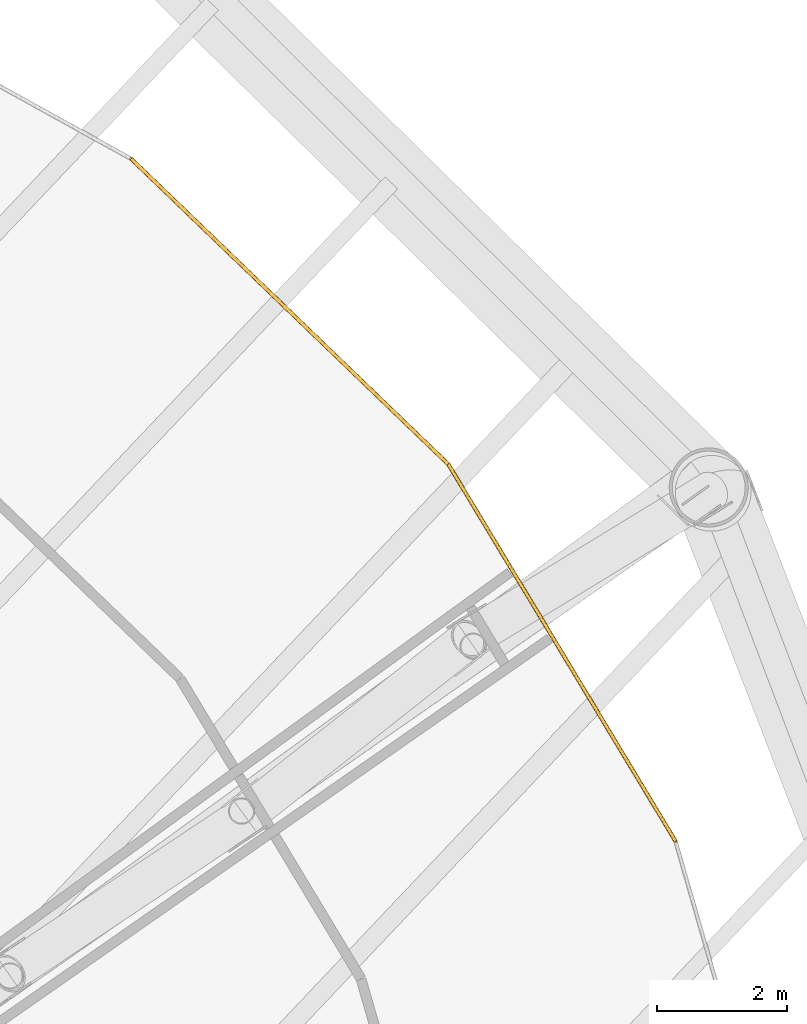
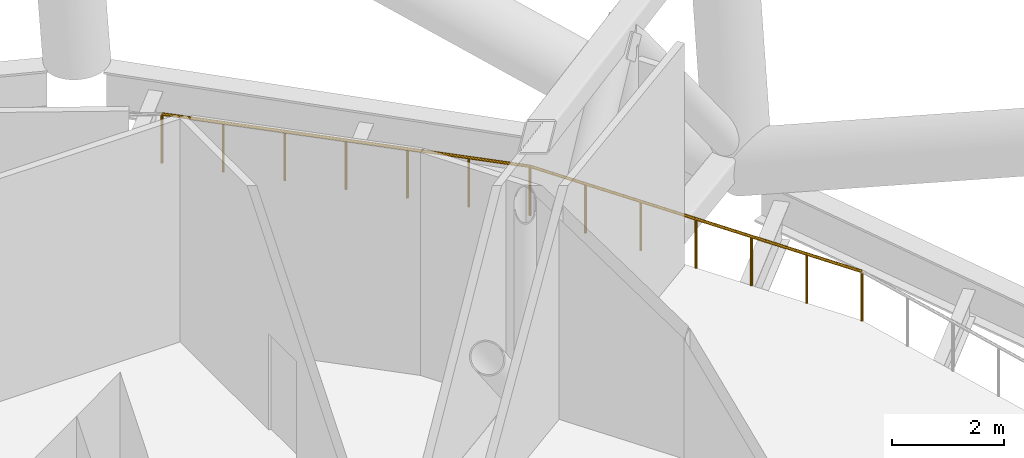
# One storey, part 38 of 39: 2 railings.
"""IFC4 building model written with IfcOpenShell, lengths in metres."""

from ifc_helpers import new_model, si_unit, direction, frame, origin, origin_2d, place, context, subcontext, project, spatial, circle, extrude, material, type_object, element, save


model = new_model("IFC4")

# Units and contexts
model_context = context("Model", 3, precision=1e-05, world=origin(), true_north=direction((0.0, 1.0)))
body_context = subcontext(model_context, "Body", "Model", "MODEL_VIEW")
ifc_project = project(units=[si_unit("LENGTHUNIT", "METRE"), si_unit("AREAUNIT", "SQUARE_METRE"), si_unit("VOLUMEUNIT", "CUBIC_METRE"), si_unit("PLANEANGLEUNIT", "RADIAN"), si_unit("MASSUNIT", "GRAM", prefix="KILO")], contexts=[model_context])

# Site, building, storey
site_placement = place(None, origin())
site = spatial("IfcSite", under=ifc_project, at=site_placement, CompositionType="ELEMENT")
building_placement = place(site_placement, origin())
building = spatial("IfcBuilding", under=site, at=building_placement, Name="Tarsis Ring Headquarters", CompositionType="ELEMENT")
storey_placement = place(building_placement, frame((0.0, 0.0, 86.800048828125)))
storey = spatial("IfcBuildingStorey", under=building, at=storey_placement, Name="L19", CompositionType="ELEMENT", Elevation=86.800048828125)

# Railings
ifc_material = material(Name="Stainless steel guard", Category="steel")
railing_type = type_object("IfcRailingType", Name="Guard rail with mesh infill 1100", PredefinedType="GUARDRAIL", material=ifc_material)
railing_1_placement = place(storey_placement, frame((23.8291015625, 10.40087890625, 0.0)))
element("IfcRailing", 1, at=railing_1_placement, inside=storey, type_object=railing_type, Name="Guard L19-25", PredefinedType="GUARDRAIL", context=body_context, shape_type="SweptSolid", body=[
    extrude(circle(Radius=0.030029296875, at=origin_2d()), frame((0.0, 0.0, 1.070068359375), z_axis=(-0.516240288418, 0.856443789524, 0.0), x_axis=(-0.856443789524, -0.516240288418, 0.0)), (0.0, 0.0, 1.0), 6.787353515625),
    extrude(circle(Radius=0.02490234375, at=origin_2d()), origin(), (0.0, 0.0, 1.0), 1.0400390625),
    extrude(circle(Radius=0.02490234375, at=origin_2d()), frame((-0.583984375, 0.96875, 0.0)), (0.0, 0.0, 1.0), 1.0400390625),
    extrude(circle(Radius=0.02490234375, at=origin_2d()), frame((-1.16796875, 1.937744140625, 0.0)), (0.0, 0.0, 1.0), 1.0400390625),
    extrude(circle(Radius=0.02490234375, at=origin_2d()), frame((-1.751953125, 2.906494140625, 0.0)), (0.0, 0.0, 1.0), 1.0400390625),
    extrude(circle(Radius=0.02490234375, at=origin_2d()), frame((-2.3359375, 3.875244140625, 0.0)), (0.0, 0.0, 1.0), 1.0400390625),
    extrude(circle(Radius=0.02490234375, at=origin_2d()), frame((-2.919921875, 4.84423828125, 0.0)), (0.0, 0.0, 1.0), 1.0400390625),
    extrude(circle(Radius=0.02490234375, at=origin_2d()), frame((-3.50390625, 5.81298828125, 0.0)), (0.0, 0.0, 1.0), 1.0400390625),
])
railing_2_placement = place(storey_placement, frame((20.3251953125, 16.2138671875, 0.0)))
element("IfcRailing", 2, at=railing_2_placement, inside=storey, type_object=railing_type, Name="Guard L19-26", PredefinedType="GUARDRAIL", context=body_context, shape_type="SweptSolid", body=[
    extrude(circle(Radius=0.030029296875, at=origin_2d()), frame((0.0, 0.0, 1.070068359375), z_axis=(-0.720308231768, 0.693654129409, 0.0), x_axis=(-0.693654129409, -0.720308231768, 0.0)), (0.0, 0.0, 1.0), 6.787353515625),
    extrude(circle(Radius=0.02490234375, at=origin_2d()), origin(), (0.0, 0.0, 1.0), 1.0400390625),
    extrude(circle(Radius=0.02490234375, at=origin_2d()), frame((-0.81494140625, 0.78466796875, 0.0)), (0.0, 0.0, 1.0), 1.0400390625),
    extrude(circle(Radius=0.02490234375, at=origin_2d()), frame((-1.629638671875, 1.5693359375, 0.0)), (0.0, 0.0, 1.0), 1.0400390625),
    extrude(circle(Radius=0.02490234375, at=origin_2d()), frame((-2.4443359375, 2.35400390625, 0.0)), (0.0, 0.0, 1.0), 1.0400390625),
    extrude(circle(Radius=0.02490234375, at=origin_2d()), frame((-3.25927734375, 3.138671875, 0.0)), (0.0, 0.0, 1.0), 1.0400390625),
    extrude(circle(Radius=0.02490234375, at=origin_2d()), frame((-4.07421875, 3.92333984375, 0.0)), (0.0, 0.0, 1.0), 1.0400390625),
    extrude(circle(Radius=0.02490234375, at=origin_2d()), frame((-4.888916015625, 4.7080078125, 0.0)), (0.0, 0.0, 1.0), 1.0400390625),
])

save(model, "model.ifc")
